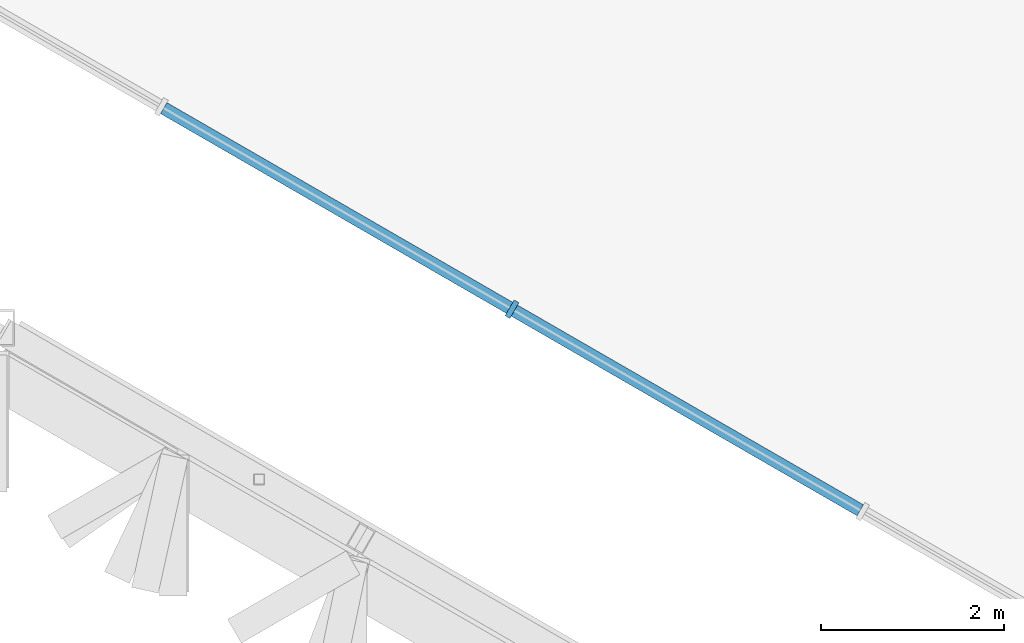
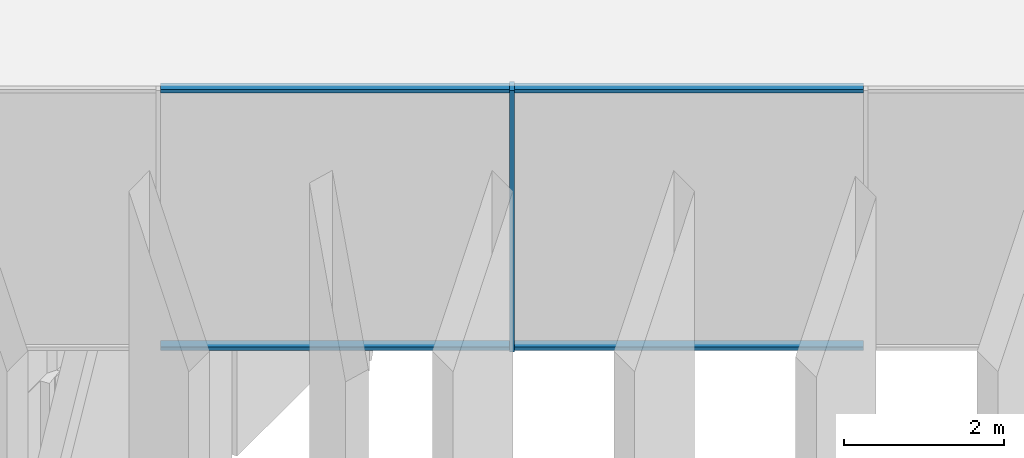
# One storey, part 5 of 45: 5 members, 1 element without a shape of its own.
"""IFC4 building model written with IfcOpenShell, lengths in metres."""

from ifc_helpers import new_model, si_unit, direction, frame, origin, origin_2d, place, context, subcontext, project, spatial, rectangle, extrude, material, layer, layer_set, material_profile, profile_set, type_object, element, aggregate, save


model = new_model("IFC4")

# Units and contexts
model_context = context("Model", 3, precision=1e-05, world=origin(), true_north=direction((0.0, 1.0)))
body_context = subcontext(model_context, "Body", "Model", "MODEL_VIEW")
ifc_project = project(units=[si_unit("LENGTHUNIT", "METRE"), si_unit("AREAUNIT", "SQUARE_METRE"), si_unit("VOLUMEUNIT", "CUBIC_METRE"), si_unit("PLANEANGLEUNIT", "RADIAN"), si_unit("MASSUNIT", "GRAM", prefix="KILO")], contexts=[model_context])

# Site, building, storey
site_placement = place(None, origin())
site = spatial("IfcSite", under=ifc_project, at=site_placement, CompositionType="ELEMENT")
building_placement = place(site_placement, origin())
building = spatial("IfcBuilding", under=site, at=building_placement, Name="Jabali Bay Hotel Tower and Convention Centre", CompositionType="ELEMENT")
storey_placement = place(building_placement, frame((0.0, 0.0, 322.39990234375)))
storey = spatial("IfcBuildingStorey", under=building, at=storey_placement, Name="Crown", CompositionType="ELEMENT", Elevation=322.39990234375)

# Curtain wall, members
ifc_material_1 = material(Name="Aluminium and glass", Category="aluminium")
ifc_layer = layer(ifc_material_1, 0.199951171875)
ifc_layer_set = layer_set([ifc_layer], Name="Aluminium and glass")
curtain_wall_type = type_object("IfcCurtainWallType", Name="CW6 curtain wall", PredefinedType="NOTDEFINED", material=ifc_layer_set)
curtain_wall_placement = place(storey_placement, origin())
curtain_wall = element("IfcCurtainWall", 1, at=curtain_wall_placement, inside=storey, type_object=curtain_wall_type, Name="CW6 lantern glazing 5", PredefinedType="NOTDEFINED")
ifc_material_2 = material(Name="Aluminium", Category="aluminium")
ifc_material_profile_1 = material_profile(ifc_material_2, rectangle(XDim=0.199951171875, YDim=0.06005859375, at=origin_2d()), Name="CW6 mullion 60 x 200")
ifc_profile_set_1 = profile_set([ifc_material_profile_1], Name="Aluminium")
member_type_1 = type_object("IfcMemberType", Name="CW6 mullion 60 x 200", PredefinedType="MULLION", material=ifc_profile_set_1)
member_1_placement = place(storey_placement, frame((63.585693359375, 69.09765625, 28.35009765625), z_axis=(0.0, 0.0, 1.0), x_axis=(0.500000005124, 0.866025400826, 0.0)))
member_1 = element("IfcMember", 2, at=member_1_placement, type_object=member_type_1, Name="CW6 mullion 5", PredefinedType="MULLION", context=body_context, shape_type="SweptSolid", body=[
    extrude(rectangle(XDim=0.199951171875, YDim=0.06005859375, at=origin_2d()), origin(), (0.0, 0.0, 1.0), 4.0),
])
ifc_material_profile_2 = material_profile(ifc_material_2, rectangle(XDim=0.139892578125, YDim=0.06005859375, at=origin_2d()), Name="CW6 transom 60 x 140")
ifc_profile_set_2 = profile_set([ifc_material_profile_2], Name="Aluminium")
member_type_2 = type_object("IfcMemberType", Name="CW6 transom 60 x 140", PredefinedType="USERDEFINED", material=ifc_profile_set_2)
member_2_placement = place(storey_placement, frame((59.771728515625, 71.2998046875, 28.380126953125), z_axis=(0.866015480101, -0.500017187931, 0.0), x_axis=(0.500017187931, 0.866015480101, 0.0)))
member_2 = element("IfcMember", 3, at=member_2_placement, type_object=member_type_2, Name="CW6 transom 4.1", ObjectType="TRANSOM", PredefinedType="USERDEFINED", context=body_context, shape_type="SweptSolid", body=[
    extrude(rectangle(XDim=0.139892578125, YDim=0.06005859375, at=origin_2d()), origin(), (0.0, 0.0, 1.0), 4.373779296875),
])
member_3_placement = place(storey_placement, frame((59.771728515625, 71.2998046875, 32.320068359375), z_axis=(0.866015480101, -0.500017187931, 0.0), x_axis=(0.500017187931, 0.866015480101, 0.0)))
member_3 = element("IfcMember", 4, at=member_3_placement, type_object=member_type_2, Name="CW6 transom 4.2", ObjectType="TRANSOM", PredefinedType="USERDEFINED", context=body_context, shape_type="SweptSolid", body=[
    extrude(rectangle(XDim=0.139892578125, YDim=0.06005859375, at=origin_2d()), origin(), (0.0, 0.0, 1.0), 4.373779296875),
])
member_4_placement = place(storey_placement, frame((63.611572265625, 69.082763671875, 28.380126953125), z_axis=(0.866029434536, -0.499993018469, 0.0), x_axis=(0.499993018469, 0.866029434536, 0.0)))
member_4 = element("IfcMember", 5, at=member_4_placement, type_object=member_type_2, Name="CW6 transom 5.1", ObjectType="TRANSOM", PredefinedType="USERDEFINED", context=body_context, shape_type="SweptSolid", body=[
    extrude(rectangle(XDim=0.139892578125, YDim=0.06005859375, at=origin_2d()), origin(), (0.0, 0.0, 1.0), 4.3740234375),
])
member_5_placement = place(storey_placement, frame((63.611572265625, 69.082763671875, 32.320068359375), z_axis=(0.866029434536, -0.499993018469, 0.0), x_axis=(0.499993018469, 0.866029434536, 0.0)))
member_5 = element("IfcMember", 6, at=member_5_placement, type_object=member_type_2, Name="CW6 transom 5.2", ObjectType="TRANSOM", PredefinedType="USERDEFINED", context=body_context, shape_type="SweptSolid", body=[
    extrude(rectangle(XDim=0.139892578125, YDim=0.06005859375, at=origin_2d()), origin(), (0.0, 0.0, 1.0), 4.3740234375),
])
aggregate(curtain_wall, [member_1, member_2, member_3, member_4, member_5])

save(model, "model.ifc")
